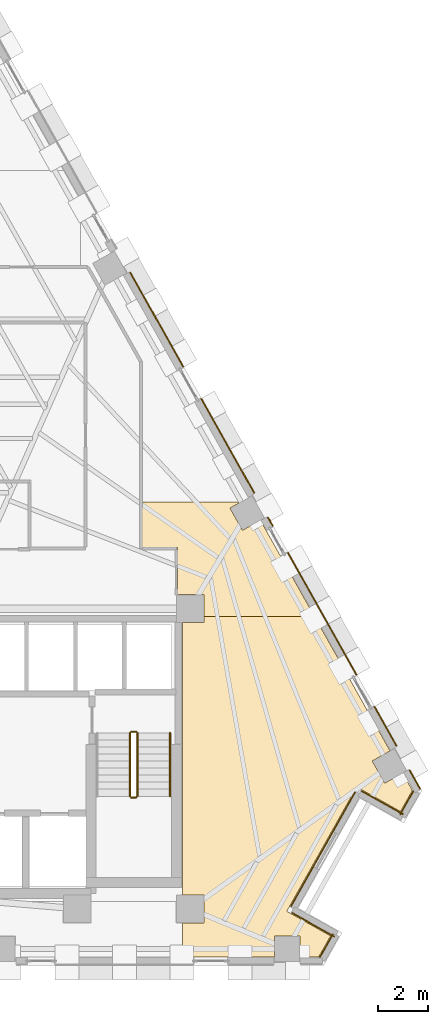
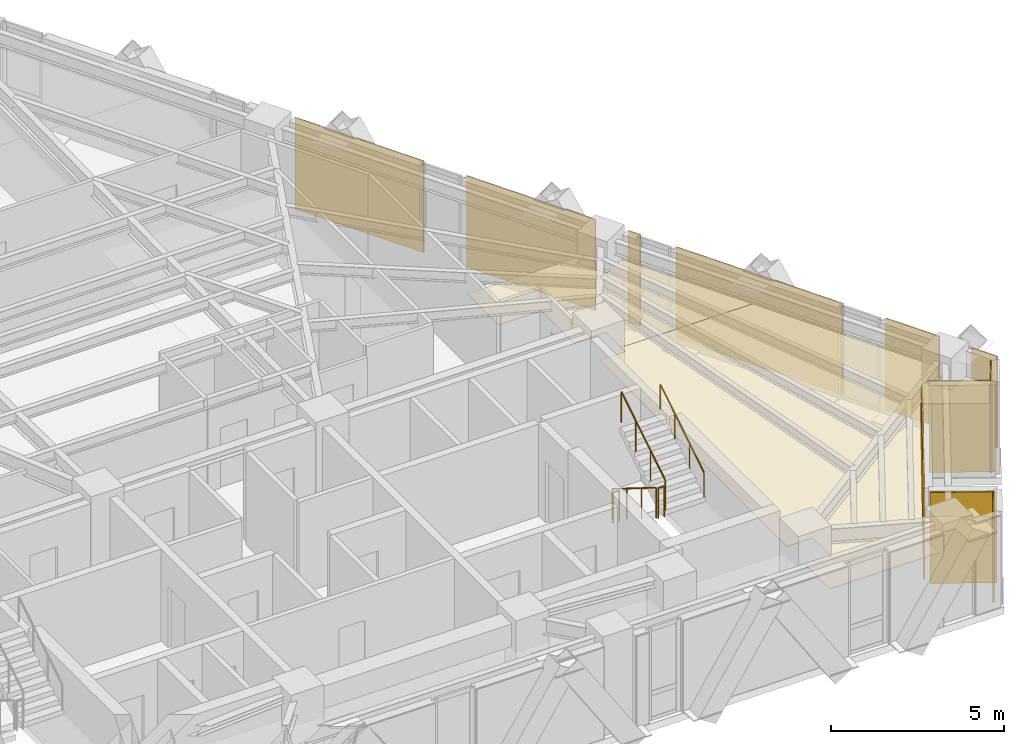
# One storey, part 12 of 13: 13 coverings, 5 railings.
"""IFC4 building model written with IfcOpenShell, lengths in metres."""

from ifc_helpers import new_model, si_unit, direction, frame, origin, origin_2d, place, context, subcontext, project, spatial, polyline, circle, outline, extrude, material, layer, layer_set, type_object, element, save


model = new_model("IFC4")

# Units and contexts
model_context = context("Model", 3, precision=1e-05, world=origin(), true_north=direction((0.0, 1.0)))
body_context = subcontext(model_context, "Body", "Model", "MODEL_VIEW")
ifc_project = project(units=[si_unit("LENGTHUNIT", "METRE"), si_unit("AREAUNIT", "SQUARE_METRE"), si_unit("VOLUMEUNIT", "CUBIC_METRE"), si_unit("PLANEANGLEUNIT", "RADIAN"), si_unit("MASSUNIT", "GRAM", prefix="KILO")], contexts=[model_context])

# Site, building, storey
site_placement = place(None, origin())
site = spatial("IfcSite", under=ifc_project, at=site_placement, CompositionType="ELEMENT")
building_placement = place(site_placement, origin())
building = spatial("IfcBuilding", under=site, at=building_placement, Name="Quenlor Broadcast Tower", CompositionType="ELEMENT")
storey_placement = place(building_placement, frame((0.0, 0.0, 158.0)))
storey = spatial("IfcBuildingStorey", under=building, at=storey_placement, Name="L43", CompositionType="ELEMENT", Elevation=158.0)

# Coverings
ifc_material_1 = material(Name="Acoustic Mineral Fibre Board", Category="other")
ifc_layer_1 = layer(ifc_material_1, 0.02490234375)
ifc_layer_set_1 = layer_set([ifc_layer_1], Name="Acoustic Perforated Mineral Tile Ceiling 25")
covering_type_1 = type_object("IfcCoveringType", Name="Acoustic Perforated Mineral Tile Ceiling 25", PredefinedType="CEILING", material=ifc_layer_set_1)
covering_1_placement = place(storey_placement, frame((0.0, 0.0, 2.375)))
element("IfcCovering", 1, at=covering_1_placement, inside=storey, type_object=covering_type_1, Name="L43 Acoustic Ceiling L43-35-2", PredefinedType="CEILING", context=body_context, shape_type="SweptSolid", body=[
    extrude(outline(polyline([(13.508056640625, -4.241943359375), (12.43994140625, -4.241943359375), (12.43994140625, -2.3701171875), (11.014892578125, -2.3701171875), (11.014892578125, -0.560302734375), (14.952880859375, -0.560302734375), (14.5322265625, -0.797119140625), (15.0302734375, -1.6826171875), (15.7431640625, -1.281494140625), (17.90234375, -5.1201171875), (13.508056640625, -5.1201171875), (13.508056640625, -4.241943359375)])), origin(), (0.0, 0.0, 1.0), 0.02490234375),
])
covering_2_placement = place(storey_placement, frame((0.0, 0.0, 2.375)))
element("IfcCovering", 2, at=covering_2_placement, inside=storey, type_object=covering_type_1, Name="L43 Acoustic Ceiling L43-35-4", PredefinedType="CEILING", context=body_context, shape_type="SweptSolid", body=[
    extrude(outline(polyline([(13.508056640625, -17.30810546875), (13.508056640625, -16.19189453125), (12.64990234375, -16.19189453125), (12.64990234375, -5.35791015625), (13.508056640625, -5.35791015625), (13.508056640625, -5.1201171875), (17.90234375, -5.1201171875), (20.90869140625, -10.46484375), (20.19580078125, -10.86572265625), (20.694091796875, -11.751220703125), (21.406982421875, -11.350341796875), (21.794921875, -12.0400390625), (21.323486328125, -12.878173828125), (19.580322265625, -11.8974609375), (16.795654296875, -16.847900390625), (18.538818359375, -17.82861328125), (18.071044921875, -18.659912109375), (17.31640625, -18.659912109375), (17.31640625, -17.842041015625), (16.30029296875, -17.842041015625), (16.30029296875, -18.659912109375), (12.64990234375, -18.659912109375), (12.64990234375, -17.30810546875), (13.508056640625, -17.30810546875)])), origin(), (0.0, 0.0, 1.0), 0.02490234375),
])
ifc_material_2 = material(Name="Architectural Terracotta Ceramic", Category="masonry")
ifc_layer_2 = layer(ifc_material_2, 0.044921875)
ifc_layer_set_2 = layer_set([ifc_layer_2], Name="Fluted Terracotta Rainscreen Cladding Panel")
covering_type_2 = type_object("IfcCoveringType", Name="Fluted Terracotta Rainscreen Cladding Panel", PredefinedType="CLADDING", material=ifc_layer_set_2)
covering_3_placement = place(storey_placement, frame((0.0, 0.0, 0.02001953125)))
element("IfcCovering", 3, at=covering_3_placement, inside=storey, type_object=covering_type_2, Name="L43 Terracotta Rainscreen Cladding L43-SHD-NES1", PredefinedType="CLADDING", context=body_context, shape_type="SweptSolid", body=[
    extrude(outline(polyline([(21.66162109375, -11.23779296875), (22.0859375, -11.992431640625), (22.125244140625, -11.970458984375), (21.70068359375, -11.2158203125), (21.66162109375, -11.23779296875)])), origin(), (0.0, 0.0, 1.0), 3.2099609375),
])
covering_4_placement = place(storey_placement, frame((0.0, 0.0, 0.02001953125)))
element("IfcCovering", 4, at=covering_4_placement, inside=storey, type_object=covering_type_2, Name="L43 Terracotta Rainscreen Cladding L43-NEC-SP1", PredefinedType="CLADDING", context=body_context, shape_type="SweptSolid", body=[
    extrude(outline(polyline([(16.025146484375, -1.1767578125), (16.22119140625, -1.525390625), (16.260498046875, -1.50341796875), (16.064453125, -1.15478515625), (16.025146484375, -1.1767578125)])), origin(), (0.0, 0.0, 1.0), 3.2099609375),
])
covering_5_placement = place(storey_placement, frame((0.0, 0.0, 0.02001953125)))
element("IfcCovering", 5, at=covering_5_placement, inside=storey, type_object=covering_type_2, Name="L43 Terracotta Rainscreen Cladding L43-NEC-SP2", PredefinedType="CLADDING", context=body_context, shape_type="SweptSolid", body=[
    extrude(outline(polyline([(16.81591796875, -2.582763671875), (19.55322265625, -7.44921875), (19.592529296875, -7.42724609375), (16.855224609375, -2.560791015625), (16.81591796875, -2.582763671875)])), origin(), (0.0, 0.0, 1.0), 3.2099609375),
])
covering_6_placement = place(storey_placement, frame((0.0, 0.0, 0.02001953125)))
element("IfcCovering", 6, at=covering_6_placement, inside=storey, type_object=covering_type_2, Name="L43 Terracotta Rainscreen Cladding L43-NEC-SP3", PredefinedType="CLADDING", context=body_context, shape_type="SweptSolid", body=[
    extrude(outline(polyline([(20.26416015625, -8.712646484375), (21.14453125, -10.278076171875), (21.183837890625, -10.256103515625), (20.30322265625, -8.690673828125), (20.26416015625, -8.712646484375)])), origin(), (0.0, 0.0, 1.0), 3.2099609375),
])
covering_7_placement = place(storey_placement, frame((0.0, 0.0, 0.02001953125)))
element("IfcCovering", 7, at=covering_7_placement, inside=storey, type_object=covering_type_2, Name="L43 Terracotta Rainscreen Cladding L43-NE-SP1", PredefinedType="CLADDING", context=body_context, shape_type="SweptSolid", body=[
    extrude(outline(polyline([(10.541748046875, 8.571533203125), (12.656982421875, 4.810791015625), (12.6962890625, 4.832763671875), (10.580810546875, 8.593505859375), (10.541748046875, 8.571533203125)])), origin(), (0.0, 0.0, 1.0), 3.2099609375),
])
covering_8_placement = place(storey_placement, frame((0.0, 0.0, 0.02001953125)))
element("IfcCovering", 8, at=covering_8_placement, inside=storey, type_object=covering_type_2, Name="L43 Terracotta Rainscreen Cladding L43-NE-SP2", PredefinedType="CLADDING", context=body_context, shape_type="SweptSolid", body=[
    extrude(outline(polyline([(13.367919921875, 3.547119140625), (15.4833984375, -0.213623046875), (15.522705078125, -0.191650390625), (13.4072265625, 3.569091796875), (13.367919921875, 3.547119140625)])), origin(), (0.0, 0.0, 1.0), 3.2099609375),
])
covering_9_placement = place(storey_placement, frame((0.0, 0.0, 0.02001953125)))
element("IfcCovering", 9, at=covering_9_placement, inside=storey, type_object=covering_type_2, Name="L43 Terracotta Rainscreen Cladding L43-CNR-01", PredefinedType="CLADDING", context=body_context, shape_type="SweptSolid", body=[
    extrude(outline(polyline([(18.702880859375, -17.8427734375), (17.011962890625, -16.8916015625), (16.989990234375, -16.930908203125), (18.680908203125, -17.882080078125), (18.702880859375, -17.8427734375)])), origin(), (0.0, 0.0, 1.0), 3.2099609375),
])
covering_10_placement = place(storey_placement, frame((0.0, 0.0, 0.02001953125)))
element("IfcCovering", 10, at=covering_10_placement, inside=storey, type_object=covering_type_2, Name="L43 Terracotta Rainscreen Cladding L43-CNR-02", PredefinedType="CLADDING", context=body_context, shape_type="SweptSolid", body=[
    extrude(outline(polyline([(16.9775390625, -16.663330078125), (19.53662109375, -12.11376953125), (19.49755859375, -12.091796875), (16.938232421875, -16.641357421875), (16.9775390625, -16.663330078125)])), origin(), (0.0, 0.0, 1.0), 3.2099609375),
])
covering_11_placement = place(storey_placement, frame((0.0, 0.0, 0.02001953125)))
element("IfcCovering", 11, at=covering_11_placement, inside=storey, type_object=covering_type_2, Name="L43 Terracotta Rainscreen Cladding L43-CNR-03", PredefinedType="CLADDING", context=body_context, shape_type="SweptSolid", body=[
    extrude(outline(polyline([(19.764892578125, -12.079345703125), (21.4208984375, -13.010986328125), (21.443115234375, -12.9716796875), (19.787109375, -12.0400390625), (19.764892578125, -12.079345703125)])), origin(), (0.0, 0.0, 1.0), 3.2099609375),
])
covering_12_placement = place(storey_placement, frame((0.0, 0.0, 0.02001953125)))
element("IfcCovering", 12, at=covering_12_placement, inside=storey, type_object=covering_type_2, Name="L43 Terracotta Rainscreen Cladding L43-CNR-04", PredefinedType="CLADDING", context=body_context, shape_type="SweptSolid", body=[
    extrude(outline(polyline([(21.328857421875, -13.007080078125), (21.859619140625, -12.0634765625), (21.820556640625, -12.04150390625), (21.289794921875, -12.985107421875), (21.328857421875, -13.007080078125)])), origin(), (0.0, 0.0, 1.0), 3.2099609375),
])
covering_13_placement = place(storey_placement, frame((0.0, 0.0, 0.02001953125)))
element("IfcCovering", 13, at=covering_13_placement, inside=storey, type_object=covering_type_2, Name="L43 Terracotta Rainscreen Cladding L43-CNR-18", PredefinedType="CLADDING", context=body_context, shape_type="SweptSolid", body=[
    extrude(outline(polyline([(18.122802734375, -18.70654296875), (18.652099609375, -17.76611328125), (18.61279296875, -17.743896484375), (18.083740234375, -18.6845703125), (18.122802734375, -18.70654296875)])), origin(), (0.0, 0.0, 1.0), 3.2099609375),
])

# Railings
ifc_material_3 = material(Name="Anodised Aluminium", Category="aluminium")
railing_type_1 = type_object("IfcRailingType", Name="Stainless Aluminium Wall Handrail 900", PredefinedType="HANDRAIL", material=ifc_material_3)
railing_1_placement = place(storey_placement, frame((12.14990234375, -12.27001953125, 1.925048828125)))
element("IfcRailing", 14, at=railing_1_placement, inside=storey, type_object=railing_type_1, Name="L43 ST-2 stair handrail 2", PredefinedType="HANDRAIL", context=body_context, shape_type="SweptSolid", body=[
    extrude(circle(Radius=0.02392578125, at=origin_2d()), frame((0.0, 0.0, 0.8759765625), z_axis=(0.0, 0.848007534815, 0.529984170421), x_axis=(-1.0, 0.0, 0.0)), (0.0, 0.0, 1.0), 2.9716796875),
    extrude(circle(Radius=0.02099609375, at=origin_2d()), origin(), (0.0, 0.0, 1.0), 0.851806640625),
    extrude(circle(Radius=0.02099609375, at=origin_2d()), frame((0.0, 0.840087890625, 0.52490234375)), (0.0, 0.0, 1.0), 0.851806640625),
    extrude(circle(Radius=0.02099609375, at=origin_2d()), frame((0.0, 1.679931640625, 1.050048828125)), (0.0, 0.0, 1.0), 0.851806640625),
    extrude(circle(Radius=0.02099609375, at=origin_2d()), frame((0.0, 2.52001953125, 1.574951171875)), (0.0, 0.0, 1.0), 0.851806640625),
])
ifc_material_4 = material(Name="Steel S355", Category="steel")
railing_type_2 = type_object("IfcRailingType", Name="Tubular Steel S355 Stair Guardrail 1100", PredefinedType="BALUSTRADE", material=ifc_material_4)
railing_2_placement = place(storey_placement, frame((10.550048828125, -9.75, 0.175048828125)))
element("IfcRailing", 15, at=railing_2_placement, inside=storey, type_object=railing_type_2, Name="L43 ST-2 stair guard 1", PredefinedType="BALUSTRADE", context=body_context, shape_type="SweptSolid", body=[
    extrude(circle(Radius=0.02392578125, at=origin_2d()), frame((0.0, 0.0, 1.076171875), z_axis=(0.0, -0.848007534815, 0.529984170421), x_axis=(1.0, 0.0, 0.0)), (0.0, 0.0, 1.0), 2.9716796875),
    extrude(circle(Radius=0.02099609375, at=origin_2d()), origin(), (0.0, 0.0, 1.0), 1.052001953125),
    extrude(circle(Radius=0.02099609375, at=origin_2d()), frame((0.0, -0.840087890625, 0.52490234375)), (0.0, 0.0, 1.0), 1.052001953125),
    extrude(circle(Radius=0.02099609375, at=origin_2d()), frame((0.0, -1.679931640625, 1.050048828125)), (0.0, 0.0, 1.0), 1.052001953125),
    extrude(circle(Radius=0.02099609375, at=origin_2d()), frame((0.0, -2.52001953125, 1.574951171875)), (0.0, 0.0, 1.0), 1.052001953125),
])
railing_3_placement = place(storey_placement, frame((10.60009765625, -12.320068359375, 1.75)))
element("IfcRailing", 16, at=railing_3_placement, inside=storey, type_object=railing_type_2, Name="L43 ST-2 stair guard 2", PredefinedType="BALUSTRADE", context=body_context, shape_type="SweptSolid", body=[
    extrude(circle(Radius=0.02392578125, at=origin_2d()), frame((0.0, 0.0, 1.076171875), z_axis=(1.0, 0.0, 0.0), x_axis=(0.0, 1.0, 0.0)), (0.0, 0.0, 1.0), 0.199951171875),
    extrude(circle(Radius=0.02099609375, at=origin_2d()), origin(), (0.0, 0.0, 1.0), 1.052001953125),
    extrude(circle(Radius=0.02099609375, at=origin_2d()), frame((0.199951171875, 0.0, 0.0)), (0.0, 0.0, 1.0), 1.052001953125),
])
railing_4_placement = place(storey_placement, frame((10.85009765625, -12.27001953125, 1.925048828125)))
element("IfcRailing", 17, at=railing_4_placement, inside=storey, type_object=railing_type_2, Name="L43 ST-2 stair guard 3", PredefinedType="BALUSTRADE", context=body_context, shape_type="SweptSolid", body=[
    extrude(circle(Radius=0.02392578125, at=origin_2d()), frame((0.0, 0.0, 1.076171875), z_axis=(0.0, 0.848007534815, 0.529984170421), x_axis=(-1.0, 0.0, 0.0)), (0.0, 0.0, 1.0), 2.9716796875),
    extrude(circle(Radius=0.02099609375, at=origin_2d()), origin(), (0.0, 0.0, 1.0), 1.052001953125),
    extrude(circle(Radius=0.02099609375, at=origin_2d()), frame((0.0, 0.840087890625, 0.52490234375)), (0.0, 0.0, 1.0), 1.052001953125),
    extrude(circle(Radius=0.02099609375, at=origin_2d()), frame((0.0, 1.679931640625, 1.050048828125)), (0.0, 0.0, 1.0), 1.052001953125),
    extrude(circle(Radius=0.02099609375, at=origin_2d()), frame((0.0, 2.52001953125, 1.574951171875)), (0.0, 0.0, 1.0), 1.052001953125),
])
railing_5_placement = place(storey_placement, frame((10.60009765625, -9.699951171875, 0.0)))
element("IfcRailing", 18, at=railing_5_placement, inside=storey, type_object=railing_type_2, Name="L43 ST-2 stair guard 4", PredefinedType="BALUSTRADE", context=body_context, shape_type="SweptSolid", body=[
    extrude(circle(Radius=0.02392578125, at=origin_2d()), frame((0.0, 0.0, 1.076171875), z_axis=(1.0, 0.0, 0.0), x_axis=(0.0, 1.0, 0.0)), (0.0, 0.0, 1.0), 0.199951171875),
    extrude(circle(Radius=0.02099609375, at=origin_2d()), origin(), (0.0, 0.0, 1.0), 1.052001953125),
    extrude(circle(Radius=0.02099609375, at=origin_2d()), frame((0.199951171875, 0.0, 0.0)), (0.0, 0.0, 1.0), 1.052001953125),
])

save(model, "model.ifc")
